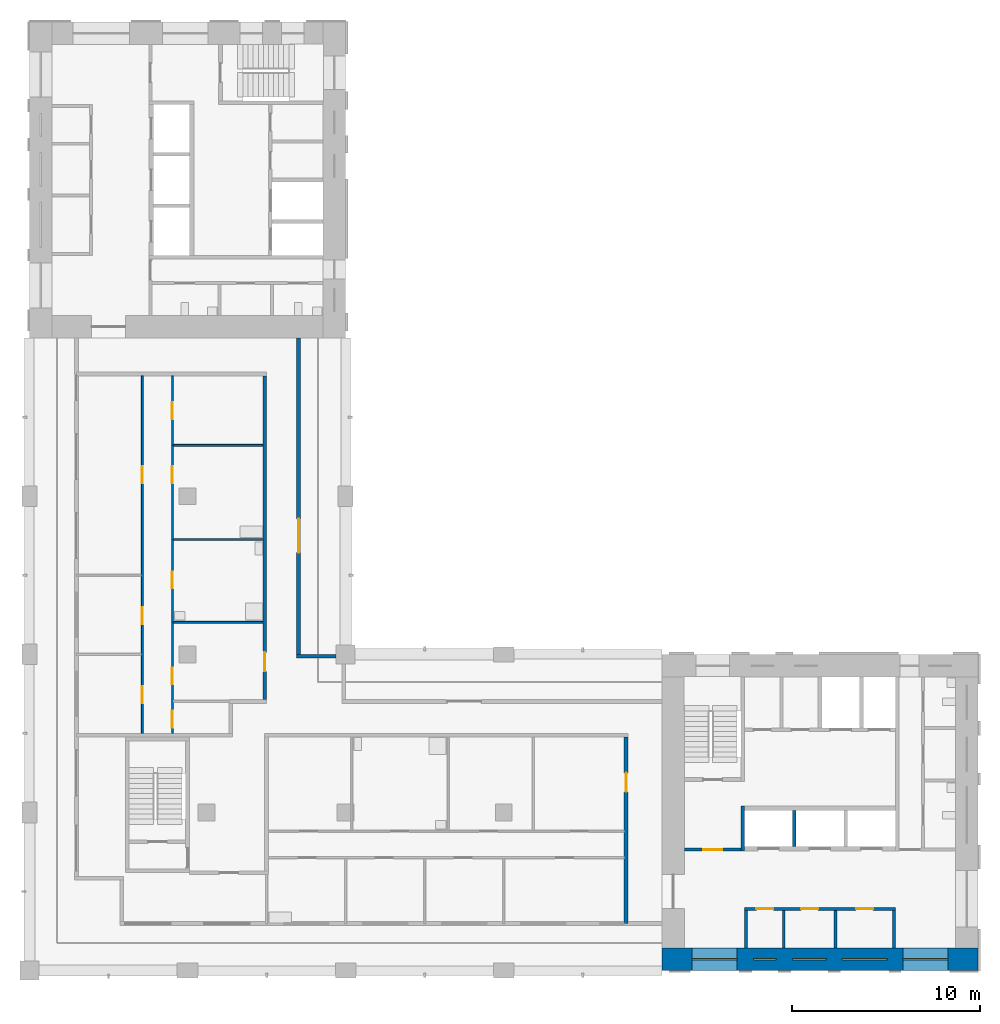
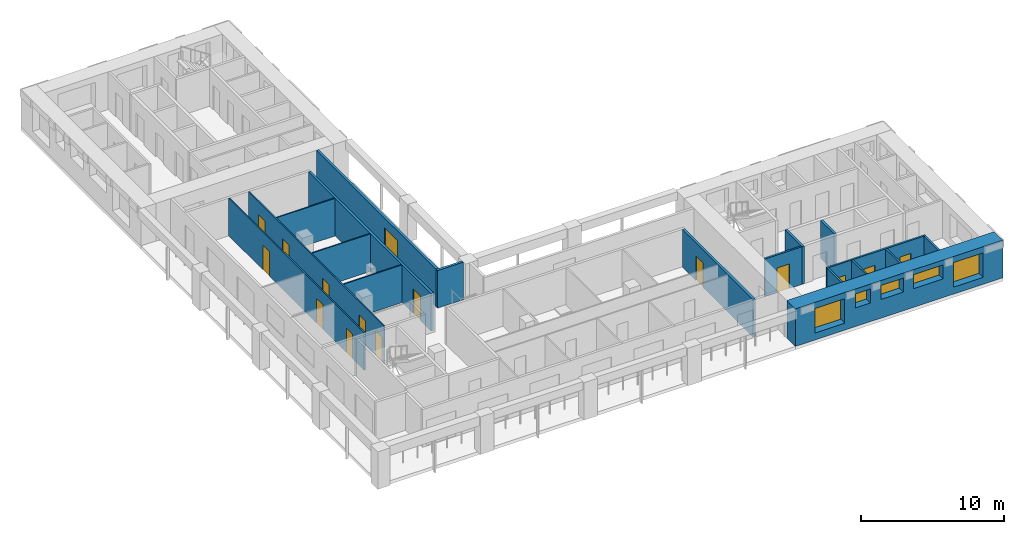
# One storey, part 3 of 9: 18 walls, 15 doors, 5 windows, 20 openings.
"""IFC4 building model written with IfcOpenShell, lengths in metres."""

from ifc_helpers import new_model, si_unit, direction, frame, frame_2d, origin, place, context, subcontext, project, spatial, rectangle, extrude, material, layer, layer_set, type_object, element, fill, save


model = new_model("IFC4")

# Units and contexts
model_context = context("Model", 3, precision=1e-05, world=origin(), true_north=direction((0.0, 1.0)))
body_context = subcontext(model_context, "Body", "Model", "MODEL_VIEW")
ifc_project = project(units=[si_unit("LENGTHUNIT", "METRE"), si_unit("AREAUNIT", "SQUARE_METRE"), si_unit("VOLUMEUNIT", "CUBIC_METRE"), si_unit("PLANEANGLEUNIT", "RADIAN"), si_unit("MASSUNIT", "GRAM", prefix="KILO")], contexts=[model_context])

# Site, building, storey
site_placement = place(None, origin())
site = spatial("IfcSite", under=ifc_project, at=site_placement, CompositionType="ELEMENT")
building_placement = place(site_placement, origin())
building = spatial("IfcBuilding", under=site, at=building_placement, Name="Vermilion Gate Residences", CompositionType="ELEMENT")
storey_placement = place(building_placement, frame((0.0, 0.0, 224.699951171875)))
storey = spatial("IfcBuildingStorey", under=building, at=storey_placement, Name="L58", CompositionType="ELEMENT", Elevation=224.699951171875)

# Walls
ifc_material_1 = material(Name="Masonry blockwork", Category="masonry")
ifc_layer_1 = layer(ifc_material_1, 0.14990234375)
ifc_layer_set_1 = layer_set([ifc_layer_1], Name="BLOCKWORK PARTITION 150 EI 120")
wall_type_1 = type_object("IfcWallType", Name="BLOCKWORK PARTITION 150 EI 120", PredefinedType="PARTITIONING", material=ifc_layer_set_1)
for number, where, z_axis, x_axis, name in (
    (1, (46.47509765625, 9.60009765625, 0.0), (0.0, 0.0, 1.0), (0.0, 1.0, 0.0), "Core room partition A58-RW-W"),
    (2, (54.324951171875, 9.60009765625, 0.0), (0.0, 0.0, 1.0), (0.0, 1.0, 0.0), "Core room partition A58-RW-E"),
    (3, (48.47509765625, 9.60009765625, 0.0), (0.0, 0.0, 1.0), (0.0, 1.0, 0.0), "Core room partition A58-SR-P0"),
    (4, (51.215087890625, 9.60009765625, 0.0), (0.0, 0.0, 1.0), (0.0, 1.0, 0.0), "Core room partition A58-SR-P1"),
):
    element("IfcWall", number, at=place(storey_placement, frame(where, z_axis=z_axis, x_axis=x_axis)), inside=storey, type_object=wall_type_1, Name=name, PredefinedType="PARTITIONING", context=body_context, shape_type="SweptSolid", body=[
        extrude(rectangle(XDim=2.0, YDim=0.14990234375, at=frame_2d((1.0, 0.0))), origin(), (0.0, 0.0, 1.0), 3.219970703125),
    ])

# Wall, openings, doors
wall_1_placement = place(storey_placement, frame((46.39990234375, 11.675048828125, 0.0), z_axis=(0.0, 0.0, 1.0), x_axis=(1.0, 0.0, 0.0)))
wall_1 = element("IfcWall", 5, at=wall_1_placement, inside=storey, type_object=wall_type_1, Name="Core room partition A58-LR-F", PredefinedType="PARTITIONING", context=body_context, shape_type="SweptSolid", body=[
    extrude(rectangle(XDim=8.0, YDim=0.14990234375, at=frame_2d((4.0, 0.0))), origin(), (0.0, 0.0, 1.0), 3.219970703125),
])
opening_1_placement = place(wall_1_placement, frame((0.625, 0.0, 0.0)))
opening_1 = element("IfcOpeningElement", 6, at=opening_1_placement, cuts=wall_1, Name="Opening DK58002", PredefinedType="OPENING", context=body_context, shape_type="SweptSolid", body=[
    extrude(rectangle(XDim=0.89990234375, YDim=2.10009765625, at=frame_2d((0.449951171875, 1.050048828125))), frame((0.0, 0.0849609375, 0.0), z_axis=(0.0, -1.0, 0.0), x_axis=(1.0, 0.0, 0.0)), (0.0, 0.0, 1.0), 0.169921875),
])
opening_2_placement = place(wall_1_placement, frame((2.9951171875, 0.0, 0.0)))
opening_2 = element("IfcOpeningElement", 7, at=opening_2_placement, cuts=wall_1, Name="Opening DK58003", PredefinedType="OPENING", context=body_context, shape_type="SweptSolid", body=[
    extrude(rectangle(XDim=0.89990234375, YDim=2.10009765625, at=frame_2d((0.449951171875, 1.050048828125))), frame((0.0, 0.0849609375, 0.0), z_axis=(0.0, -1.0, 0.0), x_axis=(1.0, 0.0, 0.0)), (0.0, 0.0, 1.0), 0.169921875),
])
opening_3_placement = place(wall_1_placement, frame((5.919921875, 0.0, 0.0)))
opening_3 = element("IfcOpeningElement", 8, at=opening_3_placement, cuts=wall_1, Name="Opening DK58004", PredefinedType="OPENING", context=body_context, shape_type="SweptSolid", body=[
    extrude(rectangle(XDim=0.89990234375, YDim=2.10009765625, at=frame_2d((0.449951171875, 1.050048828125))), frame((0.0, 0.0849609375, 0.0), z_axis=(0.0, -1.0, 0.0), x_axis=(1.0, 0.0, 0.0)), (0.0, 0.0, 1.0), 0.169921875),
])
ifc_material_2 = material(Name="Steel", Category="steel")
door_type_1 = type_object("IfcDoorType", Name="SERVICE ROOM DOOR FD60 900 X 2100", OperationType="SINGLE_SWING_LEFT", PredefinedType="DOOR", material=ifc_material_2)
door_1_placement = place(opening_1_placement, frame((0.89990234375, 0.0, 0.0), z_axis=(0.0, 0.0, 1.0), x_axis=(-1.0, 0.0, 0.0)))
door_1 = element("IfcDoor", 9, at=door_1_placement, inside=storey, type_object=door_type_1, Name="Mail room A58", OperationType="SINGLE_SWING_RIGHT", OverallHeight=2.10009765625, OverallWidth=0.89990234375, PredefinedType="DOOR", context=body_context, shape_type="SweptSolid", body=[
    extrude(rectangle(XDim=0.89990234375, YDim=2.10009765625, at=frame_2d((0.449951171875, 1.050048828125))), frame((0.0, 0.02490234375, 0.0), z_axis=(0.0, -1.0, 0.0), x_axis=(1.0, 0.0, 0.0)), (0.0, 0.0, 1.0), 0.050048828125),
])
fill(opening_1, door_1)
door_2_placement = place(opening_2_placement, frame((0.89990234375, 0.0, 0.0), z_axis=(0.0, 0.0, 1.0), x_axis=(-1.0, 0.0, 0.0)))
door_2 = element("IfcDoor", 10, at=door_2_placement, inside=storey, type_object=door_type_1, Name="Cleaner's store A58", OperationType="SINGLE_SWING_RIGHT", OverallHeight=2.10009765625, OverallWidth=0.89990234375, PredefinedType="DOOR", context=body_context, shape_type="SweptSolid", body=[
    extrude(rectangle(XDim=0.89990234375, YDim=2.10009765625, at=frame_2d((0.449951171875, 1.050048828125))), frame((0.0, 0.02490234375, 0.0), z_axis=(0.0, -1.0, 0.0), x_axis=(1.0, 0.0, 0.0)), (0.0, 0.0, 1.0), 0.050048828125),
])
fill(opening_2, door_2)
door_3_placement = place(opening_3_placement, origin())
door_3 = element("IfcDoor", 11, at=door_3_placement, inside=storey, type_object=door_type_1, Name="Electrical room A58", OperationType="SINGLE_SWING_LEFT", OverallHeight=2.10009765625, OverallWidth=0.89990234375, PredefinedType="DOOR", context=body_context, shape_type="SweptSolid", body=[
    extrude(rectangle(XDim=0.89990234375, YDim=2.10009765625, at=frame_2d((0.449951171875, 1.050048828125))), frame((0.0, 0.02490234375, 0.0), z_axis=(0.0, -1.0, 0.0), x_axis=(1.0, 0.0, 0.0)), (0.0, 0.0, 1.0), 0.050048828125),
])
fill(opening_3, door_3)

# Wall, opening, door
wall_2_placement = place(storey_placement, frame((43.199951171875, 14.824951171875, 0.0), z_axis=(0.0, 0.0, 1.0), x_axis=(1.0, 0.0, 0.0)))
wall_2 = element("IfcWall", 12, at=wall_2_placement, inside=storey, type_object=wall_type_1, Name="Core room partition A58-VW-S", PredefinedType="PARTITIONING", context=body_context, shape_type="SweptSolid", body=[
    extrude(rectangle(XDim=3.0, YDim=0.14990234375, at=frame_2d((1.5, 0.0))), origin(), (0.0, 0.0, 1.0), 3.219970703125),
])
opening_4_placement = place(wall_2_placement, frame((1.0, 0.0, 0.0)))
opening_4 = element("IfcOpeningElement", 13, at=opening_4_placement, cuts=wall_2, Name="Opening DK58012", PredefinedType="OPENING", context=body_context, shape_type="SweptSolid", body=[
    extrude(rectangle(XDim=1.0, YDim=2.10009765625, at=frame_2d((0.5, 1.050048828125))), frame((0.0, 0.0849609375, 0.0), z_axis=(0.0, -1.0, 0.0), x_axis=(1.0, 0.0, 0.0)), (0.0, 0.0, 1.0), 0.169921875),
])
ifc_material_3 = material(Name="Steel", Category="steel")
door_type_2 = type_object("IfcDoorType", Name="FIRE DOOR FD60 1000 X 2100", OperationType="SINGLE_SWING_LEFT", PredefinedType="DOOR", material=ifc_material_3)
door_4_placement = place(opening_4_placement, frame((1.0, 0.0, 0.0), z_axis=(0.0, 0.0, 1.0), x_axis=(-1.0, 0.0, 0.0)))
door_4 = element("IfcDoor", 14, at=door_4_placement, inside=storey, type_object=door_type_2, Name="Stair vestibule door A58", OperationType="SINGLE_SWING_RIGHT", OverallHeight=2.10009765625, OverallWidth=1.0, PredefinedType="DOOR", context=body_context, shape_type="SweptSolid", body=[
    extrude(rectangle(XDim=1.0, YDim=2.10009765625, at=frame_2d((0.5, 1.050048828125))), frame((0.0, 0.02490234375, 0.0), z_axis=(0.0, -1.0, 0.0), x_axis=(1.0, 0.0, 0.0)), (0.0, 0.0, 1.0), 0.050048828125),
])
fill(opening_4, door_4)

# Wall
ifc_material_4 = material(Name="Insulated steel stud wall with terracotta rainscreen", Category="masonry")
ifc_layer_2 = layer(ifc_material_4, 0.199951171875)
ifc_layer_set_2 = layer_set([ifc_layer_2], Name="EXTERNAL WALL 200 TERRACOTTA RAINSCREEN")
wall_type_2 = type_object("IfcWallType", Name="EXTERNAL WALL 200 TERRACOTTA RAINSCREEN", PredefinedType="SOLIDWALL", material=ifc_layer_set_2)
wall_3_placement = place(storey_placement, frame((24.699951171875, 25.10009765625, 0.0), z_axis=(0.0, 0.0, 1.0), x_axis=(-1.0, 0.0, 0.0)))
element("IfcWall", 15, at=wall_3_placement, inside=storey, type_object=wall_type_2, Name="External wall", PredefinedType="SOLIDWALL", context=body_context, shape_type="SweptSolid", body=[
    extrude(rectangle(XDim=2.099853515625, YDim=0.199951171875, at=frame_2d((1.0498046875, 0.0))), origin(), (0.0, 0.0, 1.0), 3.219970703125),
])

# Wall, opening, door
wall_4_placement = place(storey_placement, frame((22.699951171875, 25.199951171875, 0.0), z_axis=(0.0, 0.0, 1.0), x_axis=(0.0, 1.0, 0.0)))
wall_4 = element("IfcWall", 16, at=wall_4_placement, inside=storey, type_object=wall_type_2, Name="External wall", PredefinedType="SOLIDWALL", context=body_context, shape_type="SweptSolid", body=[
    extrude(rectangle(XDim=16.800048828125, YDim=0.199951171875, at=frame_2d((8.39990234375, 0.0))), origin(), (0.0, 0.0, 1.0), 3.219970703125),
])
opening_5_placement = place(wall_4_placement, frame((5.39990234375, 0.0, 0.0)))
opening_5 = element("IfcOpeningElement", 17, at=opening_5_placement, cuts=wall_4, Name="Opening DE58016", PredefinedType="OPENING", context=body_context, shape_type="SweptSolid", body=[
    extrude(rectangle(XDim=1.800048828125, YDim=2.39990234375, at=frame_2d((0.89990234375, 1.199951171875))), frame((0.0, 0.10986328125, 0.0), z_axis=(0.0, -1.0, 0.0), x_axis=(1.0, 0.0, 0.0)), (0.0, 0.0, 1.0), 0.219970703125),
])
ifc_material_5 = material(Name="Aluminium and clear glass", Category="aluminium")
door_type_3 = type_object("IfcDoorType", Name="GLAZED EXTERNAL DOOR 1800 X 2400", OperationType="DOUBLE_DOOR_SINGLE_SWING", PredefinedType="DOOR", material=ifc_material_5)
door_5_placement = place(opening_5_placement, frame((1.800048828125, 0.0, 0.0), z_axis=(0.0, 0.0, 1.0), x_axis=(-1.0, 0.0, 0.0)))
door_5 = element("IfcDoor", 18, at=door_5_placement, inside=storey, type_object=door_type_3, Name="Gallery door", OperationType="DOUBLE_DOOR_SINGLE_SWING", OverallHeight=2.39990234375, OverallWidth=1.800048828125, PredefinedType="DOOR", context=body_context, shape_type="SweptSolid", body=[
    extrude(rectangle(XDim=1.800048828125, YDim=2.39990234375, at=frame_2d((0.89990234375, 1.199951171875))), frame((0.0, 0.02490234375, 0.0), z_axis=(0.0, -1.0, 0.0), x_axis=(1.0, 0.0, 0.0)), (0.0, 0.0, 1.0), 0.050048828125),
])
fill(opening_5, door_5)

# Walls
ifc_material_6 = material(Name="Plasterboard on steel studs", Category="steel")
ifc_layer_3 = layer(ifc_material_6, 0.10009765625)
ifc_layer_set_3 = layer_set([ifc_layer_3], Name="PARTITION 100")
wall_type_3 = type_object("IfcWallType", Name="PARTITION 100", PredefinedType="PARTITIONING", material=ifc_layer_set_3)
for number, where, z_axis, x_axis, name in (
    (19, (16.050048828125, 26.89990234375, 0.0), (0.0, 0.0, 1.0), (1.0, 0.0, 0.0), "Partition"),
    (20, (16.050048828125, 31.300048828125, 0.0), (0.0, 0.0, 1.0), (1.0, 0.0, 0.0), "Partition"),
    (21, (16.050048828125, 36.300048828125, 0.0), (0.0, 0.0, 1.0), (1.0, 0.0, 0.0), "Partition"),
):
    element("IfcWall", number, at=place(storey_placement, frame(where, z_axis=z_axis, x_axis=x_axis)), inside=storey, type_object=wall_type_3, Name=name, PredefinedType="PARTITIONING", context=body_context, shape_type="SweptSolid", body=[
        extrude(rectangle(XDim=4.75, YDim=0.10009765625, at=frame_2d((2.375, 0.0))), origin(), (0.0, 0.0, 1.0), 3.219970703125),
    ])

# Wall, openings, doors
wall_5_placement = place(storey_placement, frame((14.39990234375, 21.0, 0.0), z_axis=(0.0, 0.0, 1.0), x_axis=(0.0, 1.0, 0.0)))
wall_5 = element("IfcWall", 22, at=wall_5_placement, inside=storey, type_object=wall_type_3, Name="Partition", PredefinedType="PARTITIONING", context=body_context, shape_type="SweptSolid", body=[
    extrude(rectangle(XDim=19.0, YDim=0.10009765625, at=frame_2d((9.5, 0.0))), origin(), (0.0, 0.0, 1.0), 3.219970703125),
])
opening_6_placement = place(wall_5_placement, frame((1.60009765625, 0.0, 0.0)))
opening_6 = element("IfcOpeningElement", 23, at=opening_6_placement, cuts=wall_5, Name="Opening DA58010", PredefinedType="OPENING", context=body_context, shape_type="SweptSolid", body=[
    extrude(rectangle(XDim=0.89990234375, YDim=2.10009765625, at=frame_2d((0.449951171875, 1.050048828125))), frame((0.0, 0.06005859375, 0.0), z_axis=(0.0, -1.0, 0.0), x_axis=(1.0, 0.0, 0.0)), (0.0, 0.0, 1.0), 0.1201171875),
])
opening_7_placement = place(wall_5_placement, frame((5.800048828125, 0.0, 0.0)))
opening_7 = element("IfcOpeningElement", 24, at=opening_7_placement, cuts=wall_5, Name="Opening DA58011", PredefinedType="OPENING", context=body_context, shape_type="SweptSolid", body=[
    extrude(rectangle(XDim=0.89990234375, YDim=2.10009765625, at=frame_2d((0.449951171875, 1.050048828125))), frame((0.0, 0.06005859375, 0.0), z_axis=(0.0, -1.0, 0.0), x_axis=(1.0, 0.0, 0.0)), (0.0, 0.0, 1.0), 0.1201171875),
])
opening_8_placement = place(wall_5_placement, frame((13.300048828125, 0.0, 0.0)))
opening_8 = element("IfcOpeningElement", 25, at=opening_8_placement, cuts=wall_5, Name="Opening DA58012", PredefinedType="OPENING", context=body_context, shape_type="SweptSolid", body=[
    extrude(rectangle(XDim=0.89990234375, YDim=2.10009765625, at=frame_2d((0.449951171875, 1.050048828125))), frame((0.0, 0.06005859375, 0.0), z_axis=(0.0, -1.0, 0.0), x_axis=(1.0, 0.0, 0.0)), (0.0, 0.0, 1.0), 0.1201171875),
])
ifc_material_7 = material(Name="Timber", Category="wood")
door_type_4 = type_object("IfcDoorType", Name="INTERIOR DOOR 900 X 2100", OperationType="SINGLE_SWING_LEFT", PredefinedType="DOOR", material=ifc_material_7)
door_6_placement = place(opening_6_placement, origin())
door_6 = element("IfcDoor", 26, at=door_6_placement, inside=storey, type_object=door_type_4, Name="Interior door", OperationType="SINGLE_SWING_LEFT", OverallHeight=2.10009765625, OverallWidth=0.89990234375, PredefinedType="DOOR", context=body_context, shape_type="SweptSolid", body=[
    extrude(rectangle(XDim=0.89990234375, YDim=2.10009765625, at=frame_2d((0.449951171875, 1.050048828125))), frame((0.0, 0.02490234375, 0.0), z_axis=(0.0, -1.0, 0.0), x_axis=(1.0, 0.0, 0.0)), (0.0, 0.0, 1.0), 0.050048828125),
])
fill(opening_6, door_6)
door_7_placement = place(opening_7_placement, origin())
door_7 = element("IfcDoor", 27, at=door_7_placement, inside=storey, type_object=door_type_4, Name="Interior door", OperationType="SINGLE_SWING_LEFT", OverallHeight=2.10009765625, OverallWidth=0.89990234375, PredefinedType="DOOR", context=body_context, shape_type="SweptSolid", body=[
    extrude(rectangle(XDim=0.89990234375, YDim=2.10009765625, at=frame_2d((0.449951171875, 1.050048828125))), frame((0.0, 0.02490234375, 0.0), z_axis=(0.0, -1.0, 0.0), x_axis=(1.0, 0.0, 0.0)), (0.0, 0.0, 1.0), 0.050048828125),
])
fill(opening_7, door_7)
door_8_placement = place(opening_8_placement, origin())
door_8 = element("IfcDoor", 28, at=door_8_placement, inside=storey, type_object=door_type_4, Name="Interior door", OperationType="SINGLE_SWING_LEFT", OverallHeight=2.10009765625, OverallWidth=0.89990234375, PredefinedType="DOOR", context=body_context, shape_type="SweptSolid", body=[
    extrude(rectangle(XDim=0.89990234375, YDim=2.10009765625, at=frame_2d((0.449951171875, 1.050048828125))), frame((0.0, 0.02490234375, 0.0), z_axis=(0.0, -1.0, 0.0), x_axis=(1.0, 0.0, 0.0)), (0.0, 0.0, 1.0), 0.050048828125),
])
fill(opening_8, door_8)

wall_6_placement = place(storey_placement, frame((16.0, 21.0, 0.0), z_axis=(0.0, 0.0, 1.0), x_axis=(0.0, 1.0, 0.0)))
wall_6 = element("IfcWall", 29, at=wall_6_placement, inside=storey, type_object=wall_type_3, Name="Partition", PredefinedType="PARTITIONING", context=body_context, shape_type="SweptSolid", body=[
    extrude(rectangle(XDim=19.0, YDim=0.10009765625, at=frame_2d((9.5, 0.0))), origin(), (0.0, 0.0, 1.0), 3.219970703125),
])
opening_9_placement = place(wall_6_placement, frame((2.60009765625, 0.0, 0.0)))
opening_9 = element("IfcOpeningElement", 30, at=opening_9_placement, cuts=wall_6, Name="Opening DA58013", PredefinedType="OPENING", context=body_context, shape_type="SweptSolid", body=[
    extrude(rectangle(XDim=0.89990234375, YDim=2.10009765625, at=frame_2d((0.449951171875, 1.050048828125))), frame((0.0, 0.06005859375, 0.0), z_axis=(0.0, -1.0, 0.0), x_axis=(1.0, 0.0, 0.0)), (0.0, 0.0, 1.0), 0.1201171875),
])
opening_10_placement = place(wall_6_placement, frame((0.300048828125, 0.0, 0.0)))
opening_10 = element("IfcOpeningElement", 31, at=opening_10_placement, cuts=wall_6, Name="Opening DA58014", PredefinedType="OPENING", context=body_context, shape_type="SweptSolid", body=[
    extrude(rectangle(XDim=0.89990234375, YDim=2.10009765625, at=frame_2d((0.449951171875, 1.050048828125))), frame((0.0, 0.06005859375, 0.0), z_axis=(0.0, -1.0, 0.0), x_axis=(1.0, 0.0, 0.0)), (0.0, 0.0, 1.0), 0.1201171875),
])
opening_11_placement = place(wall_6_placement, frame((7.699951171875, 0.0, 0.0)))
opening_11 = element("IfcOpeningElement", 32, at=opening_11_placement, cuts=wall_6, Name="Opening DA58015", PredefinedType="OPENING", context=body_context, shape_type="SweptSolid", body=[
    extrude(rectangle(XDim=0.89990234375, YDim=2.10009765625, at=frame_2d((0.449951171875, 1.050048828125))), frame((0.0, 0.06005859375, 0.0), z_axis=(0.0, -1.0, 0.0), x_axis=(1.0, 0.0, 0.0)), (0.0, 0.0, 1.0), 0.1201171875),
])
opening_12_placement = place(wall_6_placement, frame((13.300048828125, 0.0, 0.0)))
opening_12 = element("IfcOpeningElement", 33, at=opening_12_placement, cuts=wall_6, Name="Opening DA58016", PredefinedType="OPENING", context=body_context, shape_type="SweptSolid", body=[
    extrude(rectangle(XDim=0.89990234375, YDim=2.10009765625, at=frame_2d((0.449951171875, 1.050048828125))), frame((0.0, 0.06005859375, 0.0), z_axis=(0.0, -1.0, 0.0), x_axis=(1.0, 0.0, 0.0)), (0.0, 0.0, 1.0), 0.1201171875),
])
opening_13_placement = place(wall_6_placement, frame((16.699951171875, 0.0, 0.0)))
opening_13 = element("IfcOpeningElement", 34, at=opening_13_placement, cuts=wall_6, Name="Opening DA58017", PredefinedType="OPENING", context=body_context, shape_type="SweptSolid", body=[
    extrude(rectangle(XDim=0.89990234375, YDim=2.10009765625, at=frame_2d((0.449951171875, 1.050048828125))), frame((0.0, 0.06005859375, 0.0), z_axis=(0.0, -1.0, 0.0), x_axis=(1.0, 0.0, 0.0)), (0.0, 0.0, 1.0), 0.1201171875),
])
door_9_placement = place(opening_9_placement, frame((0.89990234375, 0.0, 0.0), z_axis=(0.0, 0.0, 1.0), x_axis=(-1.0, 0.0, 0.0)))
door_9 = element("IfcDoor", 35, at=door_9_placement, inside=storey, type_object=door_type_4, Name="Interior door", OperationType="SINGLE_SWING_RIGHT", OverallHeight=2.10009765625, OverallWidth=0.89990234375, PredefinedType="DOOR", context=body_context, shape_type="SweptSolid", body=[
    extrude(rectangle(XDim=0.89990234375, YDim=2.10009765625, at=frame_2d((0.449951171875, 1.050048828125))), frame((0.0, 0.02490234375, 0.0), z_axis=(0.0, -1.0, 0.0), x_axis=(1.0, 0.0, 0.0)), (0.0, 0.0, 1.0), 0.050048828125),
])
fill(opening_9, door_9)
door_10_placement = place(opening_10_placement, frame((0.89990234375, 0.0, 0.0), z_axis=(0.0, 0.0, 1.0), x_axis=(-1.0, 0.0, 0.0)))
door_10 = element("IfcDoor", 36, at=door_10_placement, inside=storey, type_object=door_type_4, Name="Interior door", OperationType="SINGLE_SWING_RIGHT", OverallHeight=2.10009765625, OverallWidth=0.89990234375, PredefinedType="DOOR", context=body_context, shape_type="SweptSolid", body=[
    extrude(rectangle(XDim=0.89990234375, YDim=2.10009765625, at=frame_2d((0.449951171875, 1.050048828125))), frame((0.0, 0.02490234375, 0.0), z_axis=(0.0, -1.0, 0.0), x_axis=(1.0, 0.0, 0.0)), (0.0, 0.0, 1.0), 0.050048828125),
])
fill(opening_10, door_10)
door_11_placement = place(opening_11_placement, frame((0.89990234375, 0.0, 0.0), z_axis=(0.0, 0.0, 1.0), x_axis=(-1.0, 0.0, 0.0)))
door_11 = element("IfcDoor", 37, at=door_11_placement, inside=storey, type_object=door_type_4, Name="Interior door", OperationType="SINGLE_SWING_RIGHT", OverallHeight=2.10009765625, OverallWidth=0.89990234375, PredefinedType="DOOR", context=body_context, shape_type="SweptSolid", body=[
    extrude(rectangle(XDim=0.89990234375, YDim=2.10009765625, at=frame_2d((0.449951171875, 1.050048828125))), frame((0.0, 0.02490234375, 0.0), z_axis=(0.0, -1.0, 0.0), x_axis=(1.0, 0.0, 0.0)), (0.0, 0.0, 1.0), 0.050048828125),
])
fill(opening_11, door_11)
door_12_placement = place(opening_12_placement, frame((0.89990234375, 0.0, 0.0), z_axis=(0.0, 0.0, 1.0), x_axis=(-1.0, 0.0, 0.0)))
door_12 = element("IfcDoor", 38, at=door_12_placement, inside=storey, type_object=door_type_4, Name="Interior door", OperationType="SINGLE_SWING_LEFT", OverallHeight=2.10009765625, OverallWidth=0.89990234375, PredefinedType="DOOR", context=body_context, shape_type="SweptSolid", body=[
    extrude(rectangle(XDim=0.89990234375, YDim=2.10009765625, at=frame_2d((0.449951171875, 1.050048828125))), frame((0.0, 0.02490234375, 0.0), z_axis=(0.0, -1.0, 0.0), x_axis=(1.0, 0.0, 0.0)), (0.0, 0.0, 1.0), 0.050048828125),
])
fill(opening_12, door_12)
door_13_placement = place(opening_13_placement, frame((0.89990234375, 0.0, 0.0), z_axis=(0.0, 0.0, 1.0), x_axis=(-1.0, 0.0, 0.0)))
door_13 = element("IfcDoor", 39, at=door_13_placement, inside=storey, type_object=door_type_4, Name="Interior door", OperationType="SINGLE_SWING_RIGHT", OverallHeight=2.10009765625, OverallWidth=0.89990234375, PredefinedType="DOOR", context=body_context, shape_type="SweptSolid", body=[
    extrude(rectangle(XDim=0.89990234375, YDim=2.10009765625, at=frame_2d((0.449951171875, 1.050048828125))), frame((0.0, 0.02490234375, 0.0), z_axis=(0.0, -1.0, 0.0), x_axis=(1.0, 0.0, 0.0)), (0.0, 0.0, 1.0), 0.050048828125),
])
fill(opening_13, door_13)

# Wall, opening, door
ifc_material_8 = material(Name="Fire-rated plasterboard on steel studs", Category="steel")
ifc_layer_4 = layer(ifc_material_8, 0.199951171875)
ifc_layer_set_4 = layer_set([ifc_layer_4], Name="PARTY WALL 200 EI 120")
wall_type_4 = type_object("IfcWallType", Name="PARTY WALL 200 EI 120", PredefinedType="PARTITIONING", material=ifc_layer_set_4)
wall_7_placement = place(storey_placement, frame((20.89990234375, 22.800048828125, 0.0), z_axis=(0.0, 0.0, 1.0), x_axis=(0.0, 1.0, 0.0)))
wall_7 = element("IfcWall", 40, at=wall_7_placement, inside=storey, type_object=wall_type_4, Name="Party and corridor wall", PredefinedType="PARTITIONING", context=body_context, shape_type="SweptSolid", body=[
    extrude(rectangle(XDim=17.199951171875, YDim=0.199951171875, at=frame_2d((8.60009765625, 0.0))), origin(), (0.0, 0.0, 1.0), 3.219970703125),
])
opening_14_placement = place(wall_7_placement, frame((1.5, 0.0, 0.0)))
opening_14 = element("IfcOpeningElement", 41, at=opening_14_placement, cuts=wall_7, Name="Opening DA58018", PredefinedType="OPENING", context=body_context, shape_type="SweptSolid", body=[
    extrude(rectangle(XDim=1.0, YDim=2.10009765625, at=frame_2d((0.5, 1.050048828125))), frame((0.0, 0.10986328125, 0.0), z_axis=(0.0, -1.0, 0.0), x_axis=(1.0, 0.0, 0.0)), (0.0, 0.0, 1.0), 0.219970703125),
])
ifc_material_9 = material(Name="Steel", Category="steel")
door_type_5 = type_object("IfcDoorType", Name="ENTRANCE DOOR 1000 X 2100 FD30", OperationType="SINGLE_SWING_LEFT", PredefinedType="DOOR", material=ifc_material_9)
door_14_placement = place(opening_14_placement, origin())
door_14 = element("IfcDoor", 42, at=door_14_placement, inside=storey, type_object=door_type_5, Name="Entrance door", OperationType="SINGLE_SWING_LEFT", OverallHeight=2.10009765625, OverallWidth=1.0, PredefinedType="DOOR", context=body_context, shape_type="SweptSolid", body=[
    extrude(rectangle(XDim=1.0, YDim=2.10009765625, at=frame_2d((0.5, 1.050048828125))), frame((0.0, 0.02490234375, 0.0), z_axis=(0.0, -1.0, 0.0), x_axis=(1.0, 0.0, 0.0)), (0.0, 0.0, 1.0), 0.050048828125),
])
fill(opening_14, door_14)

wall_8_placement = place(storey_placement, frame((40.10009765625, 10.89990234375, 0.0), z_axis=(0.0, 0.0, 1.0), x_axis=(0.0, 1.0, 0.0)))
wall_8 = element("IfcWall", 43, at=wall_8_placement, inside=storey, type_object=wall_type_4, Name="Party and corridor wall", PredefinedType="PARTITIONING", context=body_context, shape_type="SweptSolid", body=[
    extrude(rectangle(XDim=9.900146484375, YDim=0.199951171875, at=frame_2d((4.9501953125, 0.0))), origin(), (0.0, 0.0, 1.0), 3.219970703125),
])
opening_15_placement = place(wall_8_placement, frame((7.0, 0.0, 0.0)))
opening_15 = element("IfcOpeningElement", 44, at=opening_15_placement, cuts=wall_8, Name="Opening DA58019", PredefinedType="OPENING", context=body_context, shape_type="SweptSolid", body=[
    extrude(rectangle(XDim=1.0, YDim=2.10009765625, at=frame_2d((0.5, 1.050048828125))), frame((0.0, 0.10986328125, 0.0), z_axis=(0.0, -1.0, 0.0), x_axis=(1.0, 0.0, 0.0)), (0.0, 0.0, 1.0), 0.219970703125),
])
door_15_placement = place(opening_15_placement, origin())
door_15 = element("IfcDoor", 45, at=door_15_placement, inside=storey, type_object=door_type_5, Name="Entrance door", OperationType="SINGLE_SWING_RIGHT", OverallHeight=2.10009765625, OverallWidth=1.0, PredefinedType="DOOR", context=body_context, shape_type="SweptSolid", body=[
    extrude(rectangle(XDim=1.0, YDim=2.10009765625, at=frame_2d((0.5, 1.050048828125))), frame((0.0, 0.02490234375, 0.0), z_axis=(0.0, -1.0, 0.0), x_axis=(1.0, 0.0, 0.0)), (0.0, 0.0, 1.0), 0.050048828125),
])
fill(opening_15, door_15)

# Walls
ifc_material_10 = material(Name="Concrete C60", Category="concrete")
ifc_layer_5 = layer(ifc_material_10, 0.199951171875)
ifc_layer_set_5 = layer_set([ifc_layer_5], Name="RC CORE INTERNAL WALL 200 C60")
wall_type_5 = type_object("IfcWallType", Name="RC CORE INTERNAL WALL 200 C60", PredefinedType="SHEAR", material=ifc_layer_set_5)
wall_9_placement = place(storey_placement, frame((49.033447265625, 15.0, 0.0), z_axis=(0.0, 0.0, 1.0), x_axis=(0.0, 1.0, 0.0)))
element("IfcWall", 46, at=wall_9_placement, inside=storey, type_object=wall_type_5, Name="Core internal wall A58-HR-D1", PredefinedType="SHEAR", context=body_context, shape_type="SweptSolid", body=[
    extrude(rectangle(XDim=1.89990234375, YDim=0.199951171875, at=frame_2d((0.949951171875, 0.0))), origin(), (0.0, 0.0, 1.0), 3.219970703125),
])
wall_10_placement = place(storey_placement, frame((46.300048828125, 14.75, 0.0), z_axis=(0.0, 0.0, 1.0), x_axis=(0.0, 1.0, 0.0)))
element("IfcWall", 47, at=wall_10_placement, inside=storey, type_object=wall_type_5, Name="Core internal wall A58-WDIV1", PredefinedType="SHEAR", context=body_context, shape_type="SweptSolid", body=[
    extrude(rectangle(XDim=2.39990234375, YDim=0.199951171875, at=frame_2d((1.199951171875, 0.0))), origin(), (0.0, 0.0, 1.0), 3.219970703125),
])

# Wall, openings, windows
ifc_material_11 = material(Name="Concrete C50 red-oxide pigmented", Category="concrete")
ifc_layer_6 = layer(ifc_material_11, 1.199951171875)
ifc_layer_set_6 = layer_set([ifc_layer_6], Name="RC CORE WALL 1200 C50 RED OXIDE")
wall_type_6 = type_object("IfcWallType", Name="RC CORE WALL 1200 C50 RED OXIDE", PredefinedType="SHEAR", material=ifc_layer_set_6)
wall_11_placement = place(storey_placement, frame((42.0, 9.0, 0.0), z_axis=(0.0, 0.0, 1.0), x_axis=(1.0, 0.0, 0.0)))
wall_11 = element("IfcWall", 48, at=wall_11_placement, inside=storey, type_object=wall_type_6, Name="Core wall A58-OUT-B0", PredefinedType="SHEAR", context=body_context, shape_type="SweptSolid", body=[
    extrude(rectangle(XDim=16.800048828125, YDim=1.199951171875, at=frame_2d((8.39990234375, 0.0))), origin(), (0.0, 0.0, 1.0), 3.219970703125),
])
opening_16_placement = place(wall_11_placement, frame((1.60009765625, 0.0, 0.60009765625)))
opening_16 = element("IfcOpeningElement", 49, at=opening_16_placement, cuts=wall_11, Name="Opening WKA5801", PredefinedType="OPENING", context=body_context, shape_type="SweptSolid", body=[
    extrude(rectangle(XDim=2.39990234375, YDim=2.10009765625, at=frame_2d((1.199951171875, 1.050048828125))), frame((0.0, 0.60986328125, 0.0), z_axis=(0.0, -1.0, 0.0), x_axis=(1.0, 0.0, 0.0)), (0.0, 0.0, 1.0), 1.219970703125),
])
opening_17_placement = place(wall_11_placement, frame((4.875, 0.0, 1.60009765625)))
opening_17 = element("IfcOpeningElement", 50, at=opening_17_placement, cuts=wall_11, Name="Opening WKA5802", PredefinedType="OPENING", context=body_context, shape_type="SweptSolid", body=[
    extrude(rectangle(XDim=1.199951171875, YDim=1.199951171875, at=frame_2d((0.60009765625, 0.60009765625))), frame((0.0, 0.60986328125, 0.0), z_axis=(0.0, -1.0, 0.0), x_axis=(1.0, 0.0, 0.0)), (0.0, 0.0, 1.0), 1.219970703125),
])
opening_18_placement = place(wall_11_placement, frame((6.945068359375, 0.0, 1.60009765625)))
opening_18 = element("IfcOpeningElement", 51, at=opening_18_placement, cuts=wall_11, Name="Opening WKA5803", PredefinedType="OPENING", context=body_context, shape_type="SweptSolid", body=[
    extrude(rectangle(XDim=1.800048828125, YDim=1.199951171875, at=frame_2d((0.89990234375, 0.60009765625))), frame((0.0, 0.60986328125, 0.0), z_axis=(0.0, -1.0, 0.0), x_axis=(1.0, 0.0, 0.0)), (0.0, 0.0, 1.0), 1.219970703125),
])
opening_19_placement = place(wall_11_placement, frame((9.570068359375, 0.0, 1.60009765625)))
opening_19 = element("IfcOpeningElement", 52, at=opening_19_placement, cuts=wall_11, Name="Opening WKA5804", PredefinedType="OPENING", context=body_context, shape_type="SweptSolid", body=[
    extrude(rectangle(XDim=2.39990234375, YDim=1.199951171875, at=frame_2d((1.199951171875, 0.60009765625))), frame((0.0, 0.60986328125, 0.0), z_axis=(0.0, -1.0, 0.0), x_axis=(1.0, 0.0, 0.0)), (0.0, 0.0, 1.0), 1.219970703125),
])
opening_20_placement = place(wall_11_placement, frame((12.800048828125, 0.0, 0.60009765625)))
opening_20 = element("IfcOpeningElement", 53, at=opening_20_placement, cuts=wall_11, Name="Opening WKA5805", PredefinedType="OPENING", context=body_context, shape_type="SweptSolid", body=[
    extrude(rectangle(XDim=2.39990234375, YDim=2.10009765625, at=frame_2d((1.199951171875, 1.050048828125))), frame((0.0, 0.60986328125, 0.0), z_axis=(0.0, -1.0, 0.0), x_axis=(1.0, 0.0, 0.0)), (0.0, 0.0, 1.0), 1.219970703125),
])
ifc_material_12 = material(Name="Aluminium and clear glass", Category="aluminium")
window_type_1 = type_object("IfcWindowType", Name="CORE LOBBY WINDOW 2400 X 2100", PartitioningType="SINGLE_PANEL", PredefinedType="WINDOW", material=ifc_material_12)
window_1_placement = place(opening_16_placement, origin())
window_1 = element("IfcWindow", 54, at=window_1_placement, inside=storey, type_object=window_type_1, Name="Core lobby window", OverallHeight=2.10009765625, OverallWidth=2.39990234375, PartitioningType="SINGLE_PANEL", PredefinedType="WINDOW", context=body_context, shape_type="SweptSolid", body=[
    extrude(rectangle(XDim=2.39990234375, YDim=2.10009765625, at=frame_2d((1.199951171875, 1.050048828125))), frame((0.0, 0.030029296875, 0.0), z_axis=(0.0, -1.0, 0.0), x_axis=(1.0, 0.0, 0.0)), (0.0, 0.0, 1.0), 0.06005859375),
])
fill(opening_16, window_1)
window_2_placement = place(opening_20_placement, origin())
window_2 = element("IfcWindow", 55, at=window_2_placement, inside=storey, type_object=window_type_1, Name="Core lobby window", OverallHeight=2.10009765625, OverallWidth=2.39990234375, PartitioningType="SINGLE_PANEL", PredefinedType="WINDOW", context=body_context, shape_type="SweptSolid", body=[
    extrude(rectangle(XDim=2.39990234375, YDim=2.10009765625, at=frame_2d((1.199951171875, 1.050048828125))), frame((0.0, 0.030029296875, 0.0), z_axis=(0.0, -1.0, 0.0), x_axis=(1.0, 0.0, 0.0)), (0.0, 0.0, 1.0), 0.06005859375),
])
fill(opening_20, window_2)
ifc_material_13 = material(Name="Aluminium frame with louvre blades", Category="aluminium")
window_type_2 = type_object("IfcWindowType", Name="CORE LOUVRE 1200 X 1200", PartitioningType="SINGLE_PANEL", PredefinedType="WINDOW", material=ifc_material_13)
window_3_placement = place(opening_17_placement, origin())
window_3 = element("IfcWindow", 56, at=window_3_placement, inside=storey, type_object=window_type_2, Name="Core louvre", OverallHeight=1.199951171875, OverallWidth=1.199951171875, PartitioningType="SINGLE_PANEL", PredefinedType="WINDOW", context=body_context, shape_type="SweptSolid", body=[
    extrude(rectangle(XDim=1.199951171875, YDim=1.199951171875, at=frame_2d((0.60009765625, 0.60009765625))), frame((0.0, 0.030029296875, 0.0), z_axis=(0.0, -1.0, 0.0), x_axis=(1.0, 0.0, 0.0)), (0.0, 0.0, 1.0), 0.06005859375),
])
fill(opening_17, window_3)
ifc_material_14 = material(Name="Aluminium frame with louvre blades", Category="aluminium")
window_type_3 = type_object("IfcWindowType", Name="CORE LOUVRE 1800 X 1200", PartitioningType="SINGLE_PANEL", PredefinedType="WINDOW", material=ifc_material_14)
window_4_placement = place(opening_18_placement, origin())
window_4 = element("IfcWindow", 57, at=window_4_placement, inside=storey, type_object=window_type_3, Name="Core louvre", OverallHeight=1.199951171875, OverallWidth=1.800048828125, PartitioningType="SINGLE_PANEL", PredefinedType="WINDOW", context=body_context, shape_type="SweptSolid", body=[
    extrude(rectangle(XDim=1.800048828125, YDim=1.199951171875, at=frame_2d((0.89990234375, 0.60009765625))), frame((0.0, 0.030029296875, 0.0), z_axis=(0.0, -1.0, 0.0), x_axis=(1.0, 0.0, 0.0)), (0.0, 0.0, 1.0), 0.06005859375),
])
fill(opening_18, window_4)
ifc_material_15 = material(Name="Aluminium frame with louvre blades", Category="aluminium")
window_type_4 = type_object("IfcWindowType", Name="CORE LOUVRE 2400 X 1200", PartitioningType="SINGLE_PANEL", PredefinedType="WINDOW", material=ifc_material_15)
window_5_placement = place(opening_19_placement, origin())
window_5 = element("IfcWindow", 58, at=window_5_placement, inside=storey, type_object=window_type_4, Name="Core louvre", OverallHeight=1.199951171875, OverallWidth=2.39990234375, PartitioningType="SINGLE_PANEL", PredefinedType="WINDOW", context=body_context, shape_type="SweptSolid", body=[
    extrude(rectangle(XDim=2.39990234375, YDim=1.199951171875, at=frame_2d((1.199951171875, 0.60009765625))), frame((0.0, 0.030029296875, 0.0), z_axis=(0.0, -1.0, 0.0), x_axis=(1.0, 0.0, 0.0)), (0.0, 0.0, 1.0), 0.06005859375),
])
fill(opening_19, window_5)

save(model, "model.ifc")
